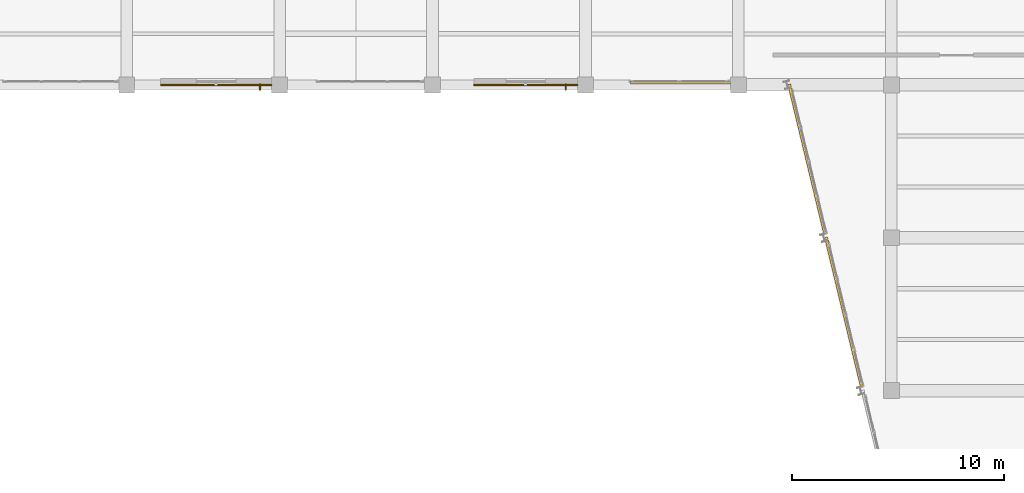
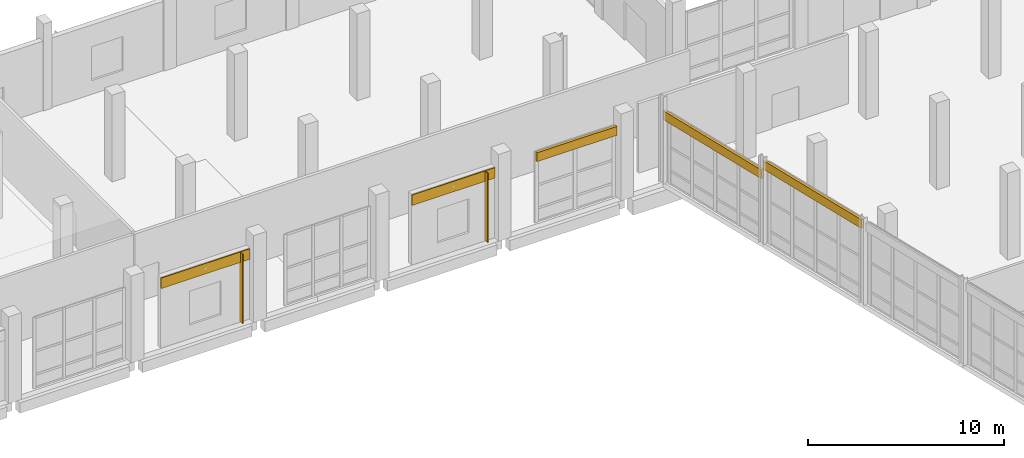
# One storey, part 130 of 137: 5 shading devices, 2 coverings.
"""IFC4 building model written with IfcOpenShell, lengths in metres."""

from ifc_helpers import new_model, si_unit, direction, frame, origin, origin_2d, place, context, subcontext, project, spatial, rectangle, extrude, material, layer, layer_set, type_object, element, save


model = new_model("IFC4")

# Units and contexts
model_context = context("Model", 3, precision=1e-05, world=origin(), true_north=direction((0.0, 1.0)))
body_context = subcontext(model_context, "Body", "Model", "MODEL_VIEW")
ifc_project = project(units=[si_unit("LENGTHUNIT", "METRE"), si_unit("AREAUNIT", "SQUARE_METRE"), si_unit("VOLUMEUNIT", "CUBIC_METRE"), si_unit("PLANEANGLEUNIT", "RADIAN"), si_unit("MASSUNIT", "GRAM", prefix="KILO")], contexts=[model_context])

# Site, building, storey
site_placement = place(None, origin())
site = spatial("IfcSite", under=ifc_project, at=site_placement, CompositionType="ELEMENT")
building_placement = place(site_placement, origin())
building = spatial("IfcBuilding", under=site, at=building_placement, Name="Kalmorath City Hall", CompositionType="ELEMENT")
storey_placement = place(building_placement, origin())
storey = spatial("IfcBuildingStorey", under=building, at=storey_placement, Name="L00", CompositionType="ELEMENT", Elevation=0.0)

# Shading devices
ifc_material_1 = material(Name="Bronze anodised aluminium", Category="aluminium")
ifc_layer_1 = layer(ifc_material_1, 0.06005859375)
ifc_layer_set_1 = layer_set([ifc_layer_1], Name="Bronze anodised aluminium")
shading_device_type_1 = type_object("IfcShadingDeviceType", Name="Bronze vertical solar fin 320", PredefinedType="USERDEFINED", material=ifc_layer_set_1)
for number, where, z_axis, x_axis, name in (
    (1, (114.27392578125, 93.5, 0.050048828125), (0.0, 0.0, 1.0), (-1.0, 0.0, 0.0), "L00 bronze solar fin #71"),
    (2, (99.8740234375, 93.5, 0.050048828125), (0.0, 0.0, 1.0), (-1.0, 0.0, 0.0), "L00 bronze solar fin #72"),
):
    element("IfcShadingDevice", number, at=place(storey_placement, frame(where, z_axis=z_axis, x_axis=x_axis)), inside=storey, type_object=shading_device_type_1, Name=name, ObjectType="FIN", PredefinedType="USERDEFINED", context=body_context, shape_type="SweptSolid", body=[
        extrude(rectangle(XDim=0.06005859375, YDim=0.320068359375, at=origin_2d()), origin(), (0.0, 0.0, 1.0), 4.31103515625),
    ])
ifc_material_2 = material(Name="Bronze anodised storm louvre")
ifc_layer_2 = layer(ifc_material_2, 0.139892578125)
ifc_layer_set_2 = layer_set([ifc_layer_2], Name="Bronze anodised storm louvre")
shading_device_type_2 = type_object("IfcShadingDeviceType", Name="Hurricane bronze storm louvre bank", PredefinedType="JALOUSIE", material=ifc_layer_set_2)
for number, where, z_axis, x_axis, name in (
    (3, (127.37255859375, 82.895263671875, 4.544921875), (0.0, 0.0, 1.0), (-0.233445363856, 0.972369920398, 0.0), "L00 library storm louvre #68"),
    (4, (125.643798828125, 90.09521484375, 3.875), (0.0, 0.0, 1.0), (-0.233445363856, 0.972369920398, 0.0), "L00 library storm louvre #69"),
):
    element("IfcShadingDevice", number, at=place(storey_placement, frame(where, z_axis=z_axis, x_axis=x_axis)), inside=storey, type_object=shading_device_type_2, Name=name, PredefinedType="JALOUSIE", context=body_context, shape_type="SweptSolid", body=[
        extrude(rectangle(XDim=7.2568359375, YDim=0.139892578125, at=origin_2d()), origin(), (0.0, 0.0, 1.0), 0.550048828125),
    ])
shading_device_placement = place(storey_placement, frame((119.67333984375, 93.699951171875, 3.8359375), z_axis=(0.0, 0.0, 1.0), x_axis=(-1.0, 0.0, 0.0)))
element("IfcShadingDevice", 5, at=shading_device_placement, inside=storey, type_object=shading_device_type_2, Name="L00 library storm louvre #70", PredefinedType="JALOUSIE", context=body_context, shape_type="SweptSolid", body=[
    extrude(rectangle(XDim=4.701416015625, YDim=0.139892578125, at=origin_2d()), origin(), (0.0, 0.0, 1.0), 0.550048828125),
])

# Coverings
ifc_material_3 = material(Name="Volcanic basalt stone cladding", Category="masonry")
ifc_layer_3 = layer(ifc_material_3, 0.06005859375)
ifc_layer_set_3 = layer_set([ifc_layer_3], Name="Volcanic basalt stone cladding")
covering_type = type_object("IfcCoveringType", Name="Volcanic basalt stone rainscreen cladding", PredefinedType="CLADDING", material=ifc_layer_set_3)
covering_1_placement = place(storey_placement, frame((112.385009765625, 93.594970703125, 3.736083984375), z_axis=(0.0, 0.0, 1.0), x_axis=(-1.0, 0.0, 0.0)))
element("IfcCovering", 6, at=covering_1_placement, inside=storey, type_object=covering_type, Name="L00 basalt spandrel cladding #14", PredefinedType="CLADDING", context=body_context, shape_type="SweptSolid", body=[
    extrude(rectangle(XDim=4.878173828125, YDim=0.06005859375, at=origin_2d()), origin(), (0.0, 0.0, 1.0), 0.64990234375),
])
covering_2_placement = place(storey_placement, frame((97.80810546875, 93.594970703125, 3.736083984375), z_axis=(0.0, 0.0, 1.0), x_axis=(-1.0, 0.0, 0.0)))
element("IfcCovering", 7, at=covering_2_placement, inside=storey, type_object=covering_type, Name="L00 basalt spandrel cladding #15", PredefinedType="CLADDING", context=body_context, shape_type="SweptSolid", body=[
    extrude(rectangle(XDim=5.23193359375, YDim=0.06005859375, at=origin_2d()), origin(), (0.0, 0.0, 1.0), 0.64990234375),
])

save(model, "model.ifc")
